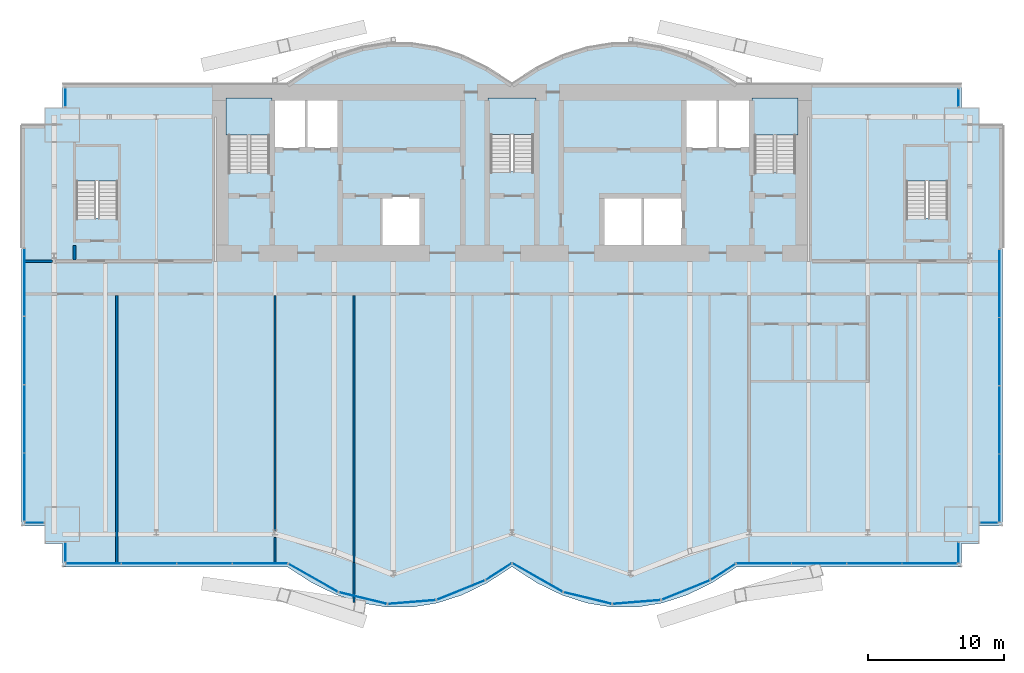
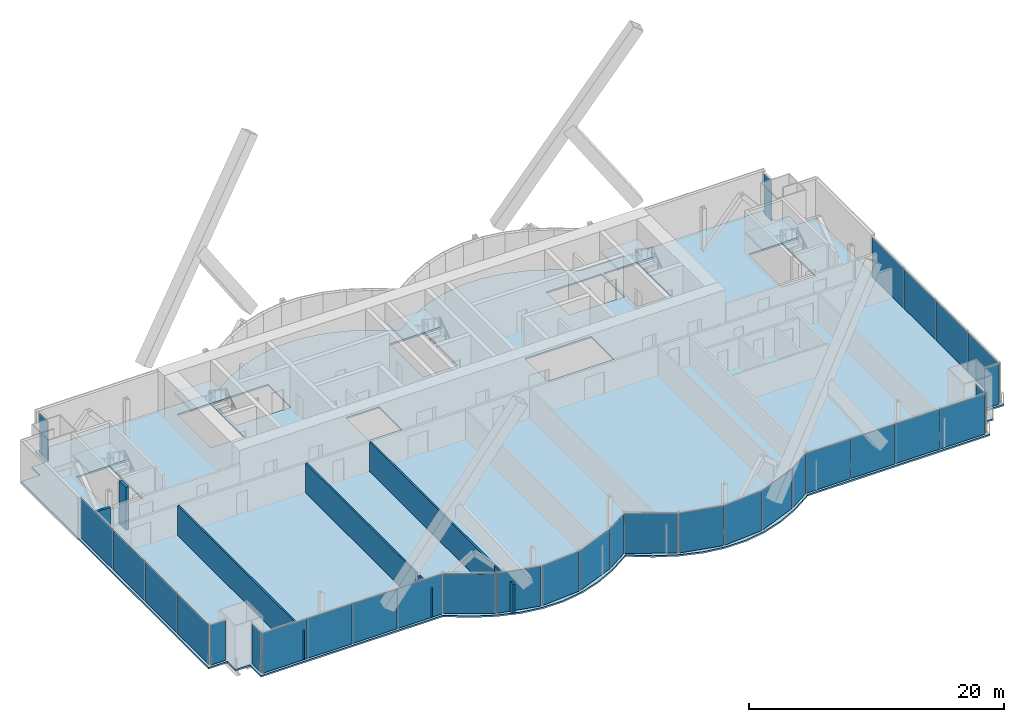
# One storey, part 16 of 23: 32 plates, 7 walls, 6 slabs, 17 elements without a shape of their own.
"""IFC4 building model written with IfcOpenShell, lengths in metres."""

from ifc_helpers import new_model, si_unit, direction, frame, frame_2d, origin, origin_2d, place, context, subcontext, project, spatial, polyline, rectangle, outline, extrude, material, layer, layer_set, type_object, element, aggregate, save


model = new_model("IFC4")

# Units and contexts
model_context = context("Model", 3, precision=1e-05, world=origin(), true_north=direction((0.0, 1.0)))
body_context = subcontext(model_context, "Body", "Model", "MODEL_VIEW")
ifc_project = project(units=[si_unit("LENGTHUNIT", "METRE"), si_unit("AREAUNIT", "SQUARE_METRE"), si_unit("VOLUMEUNIT", "CUBIC_METRE"), si_unit("PLANEANGLEUNIT", "RADIAN"), si_unit("MASSUNIT", "GRAM", prefix="KILO")], contexts=[model_context])

# Site, building, storey
site_placement = place(None, origin())
site = spatial("IfcSite", under=ifc_project, at=site_placement, CompositionType="ELEMENT")
building_placement = place(site_placement, origin())
building = spatial("IfcBuilding", under=site, at=building_placement, Name="Bicima Exchange Tower", CompositionType="ELEMENT")
storey_placement = place(building_placement, frame((0.0, 0.0, 152.699951171875)))
storey = spatial("IfcBuildingStorey", under=building, at=storey_placement, Name="L33", CompositionType="ELEMENT", Elevation=152.699951171875)

# Slab
ifc_material_1 = material(Name="Concrete C40/50", Category="concrete")
ifc_layer_1 = layer(ifc_material_1, 0.14990234375)
ifc_layer_set_1 = layer_set([ifc_layer_1], Name="Concrete C40/50")
slab_type_1 = type_object("IfcSlabType", Name="Composite floor slab 150", PredefinedType="FLOOR", material=ifc_layer_set_1)
slab_1_placement = place(storey_placement, frame((0.0, 0.0, -0.14990234375)))
element("IfcSlab", 1, at=slab_1_placement, inside=storey, type_object=slab_type_1, Name="Floor slab", PredefinedType="FLOOR", context=body_context, shape_type="SweptSolid", body=[
    extrude(outline(polyline([(-36.0, -32.412109375), (-36.0, -3.0), (-34.300048828125, -3.0), (-34.300048828125, -1.699951171875), (-33.0, -1.699951171875), (-33.0, 0.0), (-16.5, 0.0), (-14.666748046875, 1.185302734375), (-12.833251953125, 2.07421875), (-11.0, 2.666748046875), (-9.166748046875, 2.962890625), (-7.333251953125, 2.962890625), (-5.5, 2.666748046875), (-3.666748046875, 2.07421875), (-1.833251953125, 1.185302734375), (0.0, 0.0), (1.833251953125, 1.185302734375), (3.666748046875, 2.07421875), (5.5, 2.666748046875), (7.333251953125, 2.962890625), (9.166748046875, 2.962890625), (11.0, 2.666748046875), (12.833251953125, 2.07421875), (14.666748046875, 1.185302734375), (16.5, 0.0), (33.0, 0.0), (33.0, -1.699951171875), (34.300048828125, -1.699951171875), (34.300048828125, -3.0), (36.0, -3.0), (36.0, -32.412109375), (34.300048828125, -32.412109375), (34.300048828125, -33.7119140625), (33.0, -33.7119140625), (33.0, -35.412109375), (16.5, -35.412109375), (14.666748046875, -36.59716796875), (12.833251953125, -37.486083984375), (11.0, -38.07861328125), (9.166748046875, -38.375), (7.333251953125, -38.375), (5.5, -38.07861328125), (3.666748046875, -37.486083984375), (1.833251953125, -36.59716796875), (0.0, -35.412109375), (-1.833251953125, -36.59716796875), (-3.666748046875, -37.486083984375), (-5.5, -38.07861328125), (-7.333251953125, -38.375), (-9.166748046875, -38.375), (-11.0, -38.07861328125), (-12.833251953125, -37.486083984375), (-14.666748046875, -36.59716796875), (-16.5, -35.412109375), (-33.0, -35.412109375), (-33.0, -33.7119140625), (-34.300048828125, -33.7119140625), (-34.300048828125, -32.412109375), (-36.0, -32.412109375)]), holes=[polyline([(-6.60009765625, -11.800048828125), (-6.60009765625, -8.199951171875), (-9.60009765625, -8.199951171875), (-9.60009765625, -11.800048828125), (-6.60009765625, -11.800048828125)]), polyline([(-31.97509765625, -9.824951171875), (-28.925048828125, -9.824951171875), (-28.925048828125, -4.625), (-31.97509765625, -4.625), (-31.97509765625, -9.824951171875)]), polyline([(-20.800048828125, -6.449951171875), (-17.800048828125, -6.449951171875), (-17.800048828125, -1.199951171875), (-20.800048828125, -1.199951171875), (-20.800048828125, -6.449951171875)]), polyline([(1.574951171875, -6.39990234375), (1.574951171875, -1.199951171875), (-1.574951171875, -1.199951171875), (-1.574951171875, -6.39990234375), (1.574951171875, -6.39990234375)]), polyline([(-12.60009765625, -4.800048828125), (-12.60009765625, -1.199951171875), (-15.10009765625, -1.199951171875), (-17.60009765625, -1.199951171875), (-17.60009765625, -4.800048828125), (-15.10009765625, -4.800048828125), (-12.60009765625, -4.800048828125)]), polyline([(12.60009765625, -8.199951171875), (9.60009765625, -8.199951171875), (6.60009765625, -8.199951171875), (6.60009765625, -11.800048828125), (9.60009765625, -11.800048828125), (12.60009765625, -11.800048828125), (12.60009765625, -8.199951171875)]), polyline([(28.925048828125, -9.824951171875), (31.97509765625, -9.824951171875), (31.97509765625, -4.625), (28.925048828125, -4.625), (28.925048828125, -9.824951171875)]), polyline([(20.800048828125, -6.449951171875), (20.800048828125, -1.199951171875), (17.800048828125, -1.199951171875), (17.800048828125, -6.449951171875), (20.800048828125, -6.449951171875)]), polyline([(17.60009765625, -4.800048828125), (17.60009765625, -1.199951171875), (15.10009765625, -1.199951171875), (12.60009765625, -1.199951171875), (12.60009765625, -4.800048828125), (15.10009765625, -4.800048828125), (17.60009765625, -4.800048828125)])]), origin(), (0.0, 0.0, 1.0), 0.14990234375),
])

# Curtain wall, plates
ifc_material_2 = material(Name="Anodised bronze aluminium", Category="aluminium")
curtain_wall_type_1 = type_object("IfcCurtainWallType", Name="End face glass wall", PredefinedType="NOTDEFINED", material=ifc_material_2)
curtain_wall_1_placement = place(storey_placement, origin())
curtain_wall_1 = element("IfcCurtainWall", 2, at=curtain_wall_1_placement, inside=storey, type_object=curtain_wall_type_1, Name="End face glass wall L33 run 2", PredefinedType="NOTDEFINED")
ifc_material_3 = material(Name="Bronze tinted glass", Category="glass")
ifc_layer_2 = layer(ifc_material_3, 0.031982421875)
ifc_layer_set_2 = layer_set([ifc_layer_2], Name="Bronze tinted glass")
plate_type_1 = type_object("IfcPlateType", Name="End face glass wall glass panel 32", PredefinedType="CURTAIN_PANEL", material=ifc_layer_set_2)
plate_1_placement = place(storey_placement, frame((-35.77001953125, -19.5458984375, 0.0), z_axis=(0.0, 0.0, 1.0), x_axis=(0.0, -1.0, 0.0)))
plate_1 = element("IfcPlate", 3, at=plate_1_placement, type_object=plate_type_1, Name="End face glass wall panel 2.1", PredefinedType="CURTAIN_PANEL", context=body_context, shape_type="SweptSolid", body=[
    extrude(rectangle(XDim=4.950439453125, YDim=0.031982421875, at=origin_2d()), origin(), (0.0, 0.0, 1.0), 3.81005859375),
])
plate_2_placement = place(storey_placement, frame((-35.77001953125, -29.566650390625, 0.0), z_axis=(0.0, 0.0, 1.0), x_axis=(0.0, -1.0, 0.0)))
plate_2 = element("IfcPlate", 4, at=plate_2_placement, type_object=plate_type_1, Name="End face glass wall panel 4.1", PredefinedType="CURTAIN_PANEL", context=body_context, shape_type="SweptSolid", body=[
    extrude(rectangle(XDim=4.950439453125, YDim=0.031982421875, at=origin_2d()), origin(), (0.0, 0.0, 1.0), 3.81005859375),
])

curtain_wall_2_placement = place(storey_placement, origin())
curtain_wall_2 = element("IfcCurtainWall", 5, at=curtain_wall_2_placement, inside=storey, type_object=curtain_wall_type_1, Name="End face glass wall L33 run 19", PredefinedType="NOTDEFINED")
plate_3_placement = place(storey_placement, frame((35.77001953125, -29.646728515625, 0.0), z_axis=(0.0, 0.0, 1.0), x_axis=(0.0, 1.0, 0.0)))
plate_3 = element("IfcPlate", 6, at=plate_3_placement, type_object=plate_type_1, Name="End face glass wall panel 1.1", PredefinedType="CURTAIN_PANEL", context=body_context, shape_type="SweptSolid", body=[
    extrude(rectangle(XDim=4.950439453125, YDim=0.031982421875, at=origin_2d()), origin(), (0.0, 0.0, 1.0), 3.81005859375),
])
plate_4_placement = place(storey_placement, frame((35.77001953125, -19.625732421875, 0.0), z_axis=(0.0, 0.0, 1.0), x_axis=(0.0, 1.0, 0.0)))
plate_4 = element("IfcPlate", 7, at=plate_4_placement, type_object=plate_type_1, Name="End face glass wall panel 3.1", PredefinedType="CURTAIN_PANEL", context=body_context, shape_type="SweptSolid", body=[
    extrude(rectangle(XDim=4.950439453125, YDim=0.031982421875, at=origin_2d()), origin(), (0.0, 0.0, 1.0), 3.81005859375),
])

# Plate
ifc_material_4 = material(Name="Bronze anodised aluminium", Category="aluminium")
ifc_layer_3 = layer(ifc_material_4, 0.031982421875)
ifc_layer_set_3 = layer_set([ifc_layer_3], Name="Bronze anodised aluminium")
plate_type_2 = type_object("IfcPlateType", Name="End face glass wall spandrel panel 32", PredefinedType="CURTAIN_PANEL", material=ifc_layer_set_3)
plate_5_placement = place(storey_placement, frame((-35.77001953125, -14.53515625, 0.0), z_axis=(0.0, 0.0, 1.0), x_axis=(0.0, -1.0, 0.0)))
plate_5 = element("IfcPlate", 8, at=plate_5_placement, type_object=plate_type_2, Name="End face spandrel wall panel 1.1", PredefinedType="CURTAIN_PANEL", context=body_context, shape_type="SweptSolid", body=[
    extrude(rectangle(XDim=4.950439453125, YDim=0.031982421875, at=origin_2d()), origin(), (0.0, 0.0, 1.0), 3.81005859375),
])

plate_6_placement = place(storey_placement, frame((-35.77001953125, -24.55615234375, 0.0), z_axis=(0.0, 0.0, 1.0), x_axis=(0.0, -1.0, 0.0)))
plate_6 = element("IfcPlate", 9, at=plate_6_placement, type_object=plate_type_2, Name="End face spandrel wall panel 3.1", PredefinedType="CURTAIN_PANEL", context=body_context, shape_type="SweptSolid", body=[
    extrude(rectangle(XDim=4.950439453125, YDim=0.031982421875, at=origin_2d()), origin(), (0.0, 0.0, 1.0), 3.81005859375),
])

aggregate(curtain_wall_1, [plate_5, plate_1, plate_6, plate_2])

plate_7_placement = place(storey_placement, frame((35.77001953125, -24.63623046875, 0.0), z_axis=(0.0, 0.0, 1.0), x_axis=(0.0, 1.0, 0.0)))
plate_7 = element("IfcPlate", 10, at=plate_7_placement, type_object=plate_type_2, Name="End face spandrel wall panel 2.1", PredefinedType="CURTAIN_PANEL", context=body_context, shape_type="SweptSolid", body=[
    extrude(rectangle(XDim=4.950439453125, YDim=0.031982421875, at=origin_2d()), origin(), (0.0, 0.0, 1.0), 3.81005859375),
])

plate_8_placement = place(storey_placement, frame((35.77001953125, -14.615234375, 0.0), z_axis=(0.0, 0.0, 1.0), x_axis=(0.0, 1.0, 0.0)))
plate_8 = element("IfcPlate", 11, at=plate_8_placement, type_object=plate_type_2, Name="End face spandrel wall panel 4.1", PredefinedType="CURTAIN_PANEL", context=body_context, shape_type="SweptSolid", body=[
    extrude(rectangle(XDim=4.950439453125, YDim=0.031982421875, at=origin_2d()), origin(), (0.0, 0.0, 1.0), 3.81005859375),
])

aggregate(curtain_wall_2, [plate_3, plate_7, plate_4, plate_8])

# Curtain wall, plate
curtain_wall_type_2 = type_object("IfcCurtainWallType", Name="Front glass wall", PredefinedType="NOTDEFINED", material=ifc_material_2)
curtain_wall_3_placement = place(storey_placement, origin())
curtain_wall_3 = element("IfcCurtainWall", 12, at=curtain_wall_3_placement, inside=storey, type_object=curtain_wall_type_2, Name="Front glass wall L33 run 1", PredefinedType="NOTDEFINED")
ifc_layer_4 = layer(ifc_material_3, 0.031982421875)
ifc_layer_set_4 = layer_set([ifc_layer_4], Name="Bronze tinted glass")
plate_type_3 = type_object("IfcPlateType", Name="Front glass wall glass panel 32", PredefinedType="CURTAIN_PANEL", material=ifc_layer_set_4)
plate_9_placement = place(storey_placement, frame((-32.77001953125, -0.965087890625, 0.0), z_axis=(0.0, 0.0, 1.0), x_axis=(0.0, -1.0, 0.0)))
plate_9 = element("IfcPlate", 13, at=plate_9_placement, type_object=plate_type_3, Name="Front glass wall panel 1.1", PredefinedType="CURTAIN_PANEL", context=body_context, shape_type="SweptSolid", body=[
    extrude(rectangle(XDim=1.35009765625, YDim=0.031982421875, at=origin_2d()), origin(), (0.0, 0.0, 1.0), 3.81005859375),
])
aggregate(curtain_wall_3, [plate_9])

curtain_wall_4_placement = place(storey_placement, origin())
curtain_wall_4 = element("IfcCurtainWall", 14, at=curtain_wall_4_placement, inside=storey, type_object=curtain_wall_type_2, Name="Front glass wall L33 run 3", PredefinedType="NOTDEFINED")
plate_10_placement = place(storey_placement, frame((-35.034912109375, -32.181884765625, 0.0), z_axis=(0.0, 0.0, 1.0), x_axis=(1.0, 0.0, 0.0)))
plate_10 = element("IfcPlate", 15, at=plate_10_placement, type_object=plate_type_3, Name="Front glass wall panel 1.1", PredefinedType="CURTAIN_PANEL", context=body_context, shape_type="SweptSolid", body=[
    extrude(rectangle(XDim=1.35009765625, YDim=0.031982421875, at=origin_2d()), origin(), (0.0, 0.0, 1.0), 3.81005859375),
])
aggregate(curtain_wall_4, [plate_10])

curtain_wall_5_placement = place(storey_placement, origin())
curtain_wall_5 = element("IfcCurtainWall", 16, at=curtain_wall_5_placement, inside=storey, type_object=curtain_wall_type_2, Name="Front glass wall L33 run 4", PredefinedType="NOTDEFINED")
plate_11_placement = place(storey_placement, frame((-32.77001953125, -34.345947265625, 0.0), z_axis=(0.0, 0.0, 1.0), x_axis=(0.0, -1.0, 0.0)))
plate_11 = element("IfcPlate", 17, at=plate_11_placement, type_object=plate_type_3, Name="Front glass wall panel 1.1", PredefinedType="CURTAIN_PANEL", context=body_context, shape_type="SweptSolid", body=[
    extrude(rectangle(XDim=1.39208984375, YDim=0.031982421875, at=origin_2d()), origin(), (0.0, 0.0, 1.0), 3.81005859375),
])
aggregate(curtain_wall_5, [plate_11])

# Curtain wall, plates
curtain_wall_6_placement = place(storey_placement, origin())
curtain_wall_6 = element("IfcCurtainWall", 18, at=curtain_wall_6_placement, inside=storey, type_object=curtain_wall_type_2, Name="Front glass wall L33 run 5", PredefinedType="NOTDEFINED")
plate_12_placement = place(storey_placement, frame((-30.705322265625, -35.181884765625, 0.0), z_axis=(0.0, 0.0, 1.0), x_axis=(1.0, 0.0, 0.0)))
plate_12 = element("IfcPlate", 19, at=plate_12_placement, type_object=plate_type_3, Name="Front glass wall panel 1.1", PredefinedType="CURTAIN_PANEL", context=body_context, shape_type="SweptSolid", body=[
    extrude(rectangle(XDim=4.009521484375, YDim=0.031982421875, at=origin_2d()), origin(), (0.0, 0.0, 1.0), 3.81005859375),
])
plate_13_placement = place(storey_placement, frame((-18.496826171875, -35.181884765625, 0.0), z_axis=(0.0, 0.0, 1.0), x_axis=(1.0, 0.0, 0.0)))
plate_13 = element("IfcPlate", 20, at=plate_13_placement, type_object=plate_type_3, Name="Front glass wall panel 4.1", PredefinedType="CURTAIN_PANEL", context=body_context, shape_type="SweptSolid", body=[
    extrude(rectangle(XDim=4.009521484375, YDim=0.031982421875, at=origin_2d()), origin(), (0.0, 0.0, 1.0), 3.81005859375),
])

curtain_wall_7_placement = place(storey_placement, origin())
curtain_wall_7 = element("IfcCurtainWall", 21, at=curtain_wall_7_placement, inside=storey, type_object=curtain_wall_type_2, Name="Front glass wall L33 run 6", PredefinedType="NOTDEFINED")
plate_14_placement = place(storey_placement, frame((-14.589599609375, -36.22705078125, 0.0), z_axis=(0.0, 0.0, 1.0), x_axis=(0.869805110681, -0.493395449343, 0.0)))
plate_14 = element("IfcPlate", 22, at=plate_14_placement, type_object=plate_type_3, Name="Front glass wall panel 1.1", PredefinedType="CURTAIN_PANEL", context=body_context, shape_type="SweptSolid", body=[
    extrude(rectangle(XDim=4.1162109375, YDim=0.031982421875, at=origin_2d()), origin(), (0.0, 0.0, 1.0), 3.81005859375),
])
plate_15_placement = place(storey_placement, frame((-3.750244140625, -37.12548828125, 0.0), z_axis=(0.0, 0.0, 1.0), x_axis=(0.92714396679, 0.374705304, 0.0)))
plate_15 = element("IfcPlate", 23, at=plate_15_placement, type_object=plate_type_3, Name="Front glass wall panel 1.1", PredefinedType="CURTAIN_PANEL", context=body_context, shape_type="SweptSolid", body=[
    extrude(rectangle(XDim=3.771240234375, YDim=0.031982421875, at=origin_2d()), origin(), (0.0, 0.0, 1.0), 3.81005859375),
])
plate_16_placement = place(storey_placement, frame((-0.97314453125, -35.76708984375, 0.0), z_axis=(0.0, 0.0, 1.0), x_axis=(0.839798994301, 0.542897457326, 0.0)))
plate_16 = element("IfcPlate", 24, at=plate_16_placement, type_object=plate_type_3, Name="Front glass wall panel 1.1", PredefinedType="CURTAIN_PANEL", context=body_context, shape_type="SweptSolid", body=[
    extrude(rectangle(XDim=2.197509765625, YDim=0.031982421875, at=origin_2d()), origin(), (0.0, 0.0, 1.0), 3.81005859375),
])

curtain_wall_8_placement = place(storey_placement, origin())
curtain_wall_8 = element("IfcCurtainWall", 25, at=curtain_wall_8_placement, inside=storey, type_object=curtain_wall_type_2, Name="Front glass wall L33 run 11", PredefinedType="NOTDEFINED")
plate_17_placement = place(storey_placement, frame((1.876220703125, -36.205078125, 0.0), z_axis=(0.0, 0.0, 1.0), x_axis=(0.869274147378, -0.494330311331, 0.0)))
plate_17 = element("IfcPlate", 26, at=plate_17_placement, type_object=plate_type_3, Name="Front glass wall panel 1.1", PredefinedType="CURTAIN_PANEL", context=body_context, shape_type="SweptSolid", body=[
    extrude(rectangle(XDim=4.197021484375, YDim=0.031982421875, at=origin_2d()), origin(), (0.0, 0.0, 1.0), 3.81005859375),
])
plate_18_placement = place(storey_placement, frame((5.55224609375, -37.70849609375, 0.0), z_axis=(0.0, 0.0, 1.0), x_axis=(0.971830343553, -0.235681529503, 0.0)))
plate_18 = element("IfcPlate", 27, at=plate_18_placement, type_object=plate_type_3, Name="Front glass wall panel 1.1", PredefinedType="CURTAIN_PANEL", context=body_context, shape_type="SweptSolid", body=[
    extrude(rectangle(XDim=3.583251953125, YDim=0.031982421875, at=origin_2d()), origin(), (0.0, 0.0, 1.0), 3.81005859375),
])
plate_19_placement = place(storey_placement, frame((12.749755859375, -37.12548828125, 0.0), z_axis=(0.0, 0.0, 1.0), x_axis=(0.92714396679, 0.374705304, 0.0)))
plate_19 = element("IfcPlate", 28, at=plate_19_placement, type_object=plate_type_3, Name="Front glass wall panel 1.1", PredefinedType="CURTAIN_PANEL", context=body_context, shape_type="SweptSolid", body=[
    extrude(rectangle(XDim=3.771240234375, YDim=0.031982421875, at=origin_2d()), origin(), (0.0, 0.0, 1.0), 3.81005859375),
])
plate_20_placement = place(storey_placement, frame((15.492919921875, -35.789306640625, 0.0), z_axis=(0.0, 0.0, 1.0), x_axis=(0.839791413941, 0.542909183079, 0.0)))
plate_20 = element("IfcPlate", 29, at=plate_20_placement, type_object=plate_type_3, Name="Front glass wall panel 1.1", PredefinedType="CURTAIN_PANEL", context=body_context, shape_type="SweptSolid", body=[
    extrude(rectangle(XDim=2.11669921875, YDim=0.031982421875, at=origin_2d()), origin(), (0.0, 0.0, 1.0), 3.81005859375),
])

curtain_wall_9_placement = place(storey_placement, origin())
curtain_wall_9 = element("IfcCurtainWall", 30, at=curtain_wall_9_placement, inside=storey, type_object=curtain_wall_type_2, Name="Front glass wall L33 run 16", PredefinedType="NOTDEFINED")
plate_21_placement = place(storey_placement, frame((18.48681640625, -35.181884765625, 0.0), z_axis=(0.0, 0.0, 1.0), x_axis=(1.0, 0.0, 0.0)))
plate_21 = element("IfcPlate", 31, at=plate_21_placement, type_object=plate_type_3, Name="Front glass wall panel 1.1", PredefinedType="CURTAIN_PANEL", context=body_context, shape_type="SweptSolid", body=[
    extrude(rectangle(XDim=3.989501953125, YDim=0.031982421875, at=origin_2d()), origin(), (0.0, 0.0, 1.0), 3.81005859375),
])
plate_22_placement = place(storey_placement, frame((30.63525390625, -35.181884765625, 0.0), z_axis=(0.0, 0.0, 1.0), x_axis=(1.0, 0.0, 0.0)))
plate_22 = element("IfcPlate", 32, at=plate_22_placement, type_object=plate_type_3, Name="Front glass wall panel 4.1", PredefinedType="CURTAIN_PANEL", context=body_context, shape_type="SweptSolid", body=[
    extrude(rectangle(XDim=3.989501953125, YDim=0.031982421875, at=origin_2d()), origin(), (0.0, 0.0, 1.0), 3.81005859375),
])

# Curtain wall, plate
curtain_wall_10_placement = place(storey_placement, origin())
curtain_wall_10 = element("IfcCurtainWall", 33, at=curtain_wall_10_placement, inside=storey, type_object=curtain_wall_type_2, Name="Front glass wall L33 run 17", PredefinedType="NOTDEFINED")
plate_23_placement = place(storey_placement, frame((32.77001953125, -34.385986328125, 0.0), z_axis=(0.0, 0.0, 1.0), x_axis=(0.0, 1.0, 0.0)))
plate_23 = element("IfcPlate", 34, at=plate_23_placement, type_object=plate_type_3, Name="Front glass wall panel 1.1", PredefinedType="CURTAIN_PANEL", context=body_context, shape_type="SweptSolid", body=[
    extrude(rectangle(XDim=1.471923828125, YDim=0.031982421875, at=origin_2d()), origin(), (0.0, 0.0, 1.0), 3.81005859375),
])
aggregate(curtain_wall_10, [plate_23])

curtain_wall_11_placement = place(storey_placement, origin())
curtain_wall_11 = element("IfcCurtainWall", 35, at=curtain_wall_11_placement, inside=storey, type_object=curtain_wall_type_2, Name="Front glass wall L33 run 18", PredefinedType="NOTDEFINED")
plate_24_placement = place(storey_placement, frame((34.9951171875, -32.181884765625, 0.0), z_axis=(0.0, 0.0, 1.0), x_axis=(1.0, 0.0, 0.0)))
plate_24 = element("IfcPlate", 36, at=plate_24_placement, type_object=plate_type_3, Name="Front glass wall panel 1.1", PredefinedType="CURTAIN_PANEL", context=body_context, shape_type="SweptSolid", body=[
    extrude(rectangle(XDim=1.27001953125, YDim=0.031982421875, at=origin_2d()), origin(), (0.0, 0.0, 1.0), 3.81005859375),
])
aggregate(curtain_wall_11, [plate_24])

curtain_wall_12_placement = place(storey_placement, origin())
curtain_wall_12 = element("IfcCurtainWall", 37, at=curtain_wall_12_placement, inside=storey, type_object=curtain_wall_type_2, Name="Front glass wall L33 run 20", PredefinedType="NOTDEFINED")
plate_25_placement = place(storey_placement, frame((32.77001953125, -1.0048828125, 0.0), z_axis=(0.0, 0.0, 1.0), x_axis=(0.0, 1.0, 0.0)))
plate_25 = element("IfcPlate", 38, at=plate_25_placement, type_object=plate_type_3, Name="Front glass wall panel 1.1", PredefinedType="CURTAIN_PANEL", context=body_context, shape_type="SweptSolid", body=[
    extrude(rectangle(XDim=1.27001953125, YDim=0.031982421875, at=origin_2d()), origin(), (0.0, 0.0, 1.0), 3.81005859375),
])
aggregate(curtain_wall_12, [plate_25])

# Plate
ifc_layer_5 = layer(ifc_material_4, 0.031982421875)
ifc_layer_set_5 = layer_set([ifc_layer_5], Name="Bronze anodised aluminium")
plate_type_4 = type_object("IfcPlateType", Name="Front glass wall spandrel panel 32", PredefinedType="CURTAIN_PANEL", material=ifc_layer_set_5)
plate_26_placement = place(storey_placement, frame((-26.6357421875, -35.181884765625, 0.0), z_axis=(0.0, 0.0, 1.0), x_axis=(1.0, 0.0, 0.0)))
plate_26 = element("IfcPlate", 39, at=plate_26_placement, type_object=plate_type_4, Name="Front spandrel wall panel 2.1", PredefinedType="CURTAIN_PANEL", context=body_context, shape_type="SweptSolid", body=[
    extrude(rectangle(XDim=4.009521484375, YDim=0.031982421875, at=origin_2d()), origin(), (0.0, 0.0, 1.0), 3.81005859375),
])

plate_27_placement = place(storey_placement, frame((-22.56640625, -35.181884765625, 0.0), z_axis=(0.0, 0.0, 1.0), x_axis=(1.0, 0.0, 0.0)))
plate_27 = element("IfcPlate", 40, at=plate_27_placement, type_object=plate_type_4, Name="Front spandrel wall panel 3.1", PredefinedType="CURTAIN_PANEL", context=body_context, shape_type="SweptSolid", body=[
    extrude(rectangle(XDim=4.009521484375, YDim=0.031982421875, at=origin_2d()), origin(), (0.0, 0.0, 1.0), 3.81005859375),
])

aggregate(curtain_wall_6, [plate_12, plate_26, plate_27, plate_13])

plate_28_placement = place(storey_placement, frame((-10.94775390625, -37.70849609375, 0.0), z_axis=(0.0, 0.0, 1.0), x_axis=(0.971830343553, -0.235681529503, 0.0)))
plate_28 = element("IfcPlate", 41, at=plate_28_placement, type_object=plate_type_4, Name="Front spandrel wall panel 1.1", PredefinedType="CURTAIN_PANEL", context=body_context, shape_type="SweptSolid", body=[
    extrude(rectangle(XDim=3.583251953125, YDim=0.031982421875, at=origin_2d()), origin(), (0.0, 0.0, 1.0), 3.81005859375),
])

plate_29_placement = place(storey_placement, frame((-7.35107421875, -37.999755859375, 0.0), z_axis=(0.0, 0.0, 1.0), x_axis=(0.99674744821, 0.080588612633, 0.0)))
plate_29 = element("IfcPlate", 42, at=plate_29_placement, type_object=plate_type_4, Name="Front spandrel wall panel 1.1", PredefinedType="CURTAIN_PANEL", context=body_context, shape_type="SweptSolid", body=[
    extrude(rectangle(XDim=3.486083984375, YDim=0.031982421875, at=origin_2d()), origin(), (0.0, 0.0, 1.0), 3.81005859375),
])

aggregate(curtain_wall_7, [plate_14, plate_28, plate_29, plate_15, plate_16])

plate_30_placement = place(storey_placement, frame((9.14892578125, -37.999755859375, 0.0), z_axis=(0.0, 0.0, 1.0), x_axis=(0.99674744821, 0.080588612633, 0.0)))
plate_30 = element("IfcPlate", 43, at=plate_30_placement, type_object=plate_type_4, Name="Front spandrel wall panel 1.1", PredefinedType="CURTAIN_PANEL", context=body_context, shape_type="SweptSolid", body=[
    extrude(rectangle(XDim=3.486083984375, YDim=0.031982421875, at=origin_2d()), origin(), (0.0, 0.0, 1.0), 3.81005859375),
])

aggregate(curtain_wall_8, [plate_17, plate_18, plate_30, plate_19, plate_20])

plate_31_placement = place(storey_placement, frame((22.536376953125, -35.181884765625, 0.0), z_axis=(0.0, 0.0, 1.0), x_axis=(1.0, 0.0, 0.0)))
plate_31 = element("IfcPlate", 44, at=plate_31_placement, type_object=plate_type_4, Name="Front spandrel wall panel 2.1", PredefinedType="CURTAIN_PANEL", context=body_context, shape_type="SweptSolid", body=[
    extrude(rectangle(XDim=3.989501953125, YDim=0.031982421875, at=origin_2d()), origin(), (0.0, 0.0, 1.0), 3.81005859375),
])

plate_32_placement = place(storey_placement, frame((26.585693359375, -35.181884765625, 0.0), z_axis=(0.0, 0.0, 1.0), x_axis=(1.0, 0.0, 0.0)))
plate_32 = element("IfcPlate", 45, at=plate_32_placement, type_object=plate_type_4, Name="Front spandrel wall panel 3.1", PredefinedType="CURTAIN_PANEL", context=body_context, shape_type="SweptSolid", body=[
    extrude(rectangle(XDim=3.989501953125, YDim=0.031982421875, at=origin_2d()), origin(), (0.0, 0.0, 1.0), 3.81005859375),
])

aggregate(curtain_wall_9, [plate_21, plate_31, plate_32, plate_22])

# Stair, slab
ifc_material_5 = material(Name="Concrete C50/60", Category="concrete")
stair_type_1 = type_object("IfcStairType", Name="Exit stair", PredefinedType="HALF_TURN_STAIR", material=ifc_material_5)
stair_1_placement = place(storey_placement, origin())
stair_1 = element("IfcStair", 46, at=stair_1_placement, inside=storey, type_object=stair_type_1, Name="L33 West exit stair", PredefinedType="HALF_TURN_STAIR")
ifc_layer_6 = layer(ifc_material_5, 0.199951171875)
ifc_layer_set_6 = layer_set([ifc_layer_6], Name="Concrete C50/60")
slab_type_2 = type_object("IfcSlabType", Name="Stair landing slab", PredefinedType="LANDING", material=ifc_layer_set_6)
slab_2_placement = place(storey_placement, frame((0.0, 0.0, 1.85009765625)))
slab_2 = element("IfcSlab", 47, at=slab_2_placement, type_object=slab_type_2, Name="ST-W landing 1", PredefinedType="LANDING", context=body_context, shape_type="SweptSolid", body=[
    extrude(outline(polyline([(-17.60009765625, -3.75), (-17.60009765625, -1.0), (-21.0, -1.0), (-21.0, -3.75), (-17.60009765625, -3.75)])), origin(), (0.0, 0.0, 1.0), 0.199951171875),
])
aggregate(stair_1, [slab_2])

stair_type_2 = type_object("IfcStairType", Name="Exit stair 1500", PredefinedType="HALF_TURN_STAIR", material=ifc_material_5)
stair_2_placement = place(storey_placement, origin())
stair_2 = element("IfcStair", 48, at=stair_2_placement, inside=storey, type_object=stair_type_2, Name="L33 Central exit stair", PredefinedType="HALF_TURN_STAIR")
slab_3_placement = place(storey_placement, frame((0.0, 0.0, 1.85009765625)))
slab_3 = element("IfcSlab", 49, at=slab_3_placement, type_object=slab_type_2, Name="ST-C landing 1", PredefinedType="LANDING", context=body_context, shape_type="SweptSolid", body=[
    extrude(outline(polyline([(1.77490234375, -3.699951171875), (1.77490234375, -1.0), (-1.77490234375, -1.0), (-1.77490234375, -3.699951171875), (1.77490234375, -3.699951171875)])), origin(), (0.0, 0.0, 1.0), 0.199951171875),
])
aggregate(stair_2, [slab_3])

stair_3_placement = place(storey_placement, origin())
stair_3 = element("IfcStair", 50, at=stair_3_placement, inside=storey, type_object=stair_type_1, Name="L33 East exit stair", PredefinedType="HALF_TURN_STAIR")
slab_4_placement = place(storey_placement, frame((0.0, 0.0, 1.85009765625)))
slab_4 = element("IfcSlab", 51, at=slab_4_placement, type_object=slab_type_2, Name="ST-E landing 1", PredefinedType="LANDING", context=body_context, shape_type="SweptSolid", body=[
    extrude(outline(polyline([(21.0, -3.75), (21.0, -1.0), (17.60009765625, -1.0), (17.60009765625, -3.75), (21.0, -3.75)])), origin(), (0.0, 0.0, 1.0), 0.199951171875),
])
aggregate(stair_3, [slab_4])

stair_4_placement = place(storey_placement, origin())
stair_4 = element("IfcStair", 52, at=stair_4_placement, inside=storey, type_object=stair_type_1, Name="L33 West end exit stair", PredefinedType="HALF_TURN_STAIR")
slab_5_placement = place(storey_placement, frame((0.0, 0.0, 1.85009765625)))
slab_5 = element("IfcSlab", 53, at=slab_5_placement, type_object=slab_type_2, Name="ST-WW landing 1", PredefinedType="LANDING", context=body_context, shape_type="SweptSolid", body=[
    extrude(outline(polyline([(-28.72509765625, -7.125), (-28.72509765625, -4.425048828125), (-32.175048828125, -4.425048828125), (-32.175048828125, -7.125), (-28.72509765625, -7.125)])), origin(), (0.0, 0.0, 1.0), 0.199951171875),
])
aggregate(stair_4, [slab_5])

stair_5_placement = place(storey_placement, origin())
stair_5 = element("IfcStair", 54, at=stair_5_placement, inside=storey, type_object=stair_type_1, Name="L33 East end exit stair", PredefinedType="HALF_TURN_STAIR")
slab_6_placement = place(storey_placement, frame((0.0, 0.0, 1.85009765625)))
slab_6 = element("IfcSlab", 55, at=slab_6_placement, type_object=slab_type_2, Name="ST-EE landing 1", PredefinedType="LANDING", context=body_context, shape_type="SweptSolid", body=[
    extrude(outline(polyline([(32.175048828125, -7.125), (32.175048828125, -4.425048828125), (28.72509765625, -4.425048828125), (28.72509765625, -7.125), (32.175048828125, -7.125)])), origin(), (0.0, 0.0, 1.0), 0.199951171875),
])
aggregate(stair_5, [slab_6])

# Walls
ifc_material_6 = material(Name="Gypsum board partition")
ifc_layer_7 = layer(ifc_material_6, 0.199951171875)
ifc_layer_set_7 = layer_set([ifc_layer_7], Name="Gypsum board partition")
wall_type_1 = type_object("IfcWallType", Name="Fire-rated gypsum partition 200 EI60", PredefinedType="PARTITIONING", material=ifc_layer_set_7)
wall_1_placement = place(storey_placement, frame((-35.679931640625, -13.0, 0.0), z_axis=(0.0, 0.0, 1.0), x_axis=(1.0, 0.0, 0.0)))
element("IfcWall", 56, at=wall_1_placement, inside=storey, type_object=wall_type_1, Name="partition wall 4", PredefinedType="PARTITIONING", context=body_context, shape_type="SweptSolid", body=[
    extrude(rectangle(XDim=1.9599609375, YDim=0.199951171875, at=frame_2d((0.97998046875, 0.0))), origin(), (0.0, 0.0, 1.0), 2.84033203125),
])
ifc_layer_8 = layer(ifc_material_6, 0.14990234375)
ifc_layer_set_8 = layer_set([ifc_layer_8], Name="Gypsum board partition")
wall_type_2 = type_object("IfcWallType", Name="Gypsum partition 150", PredefinedType="PARTITIONING", material=ifc_layer_set_8)
wall_2_placement = place(storey_placement, frame((-29.0, -35.199951171875, 0.0), z_axis=(0.0, 0.0, 1.0), x_axis=(0.0, 1.0, 0.0)))
element("IfcWall", 57, at=wall_2_placement, inside=storey, type_object=wall_type_2, Name="partition wall 13", PredefinedType="PARTITIONING", context=body_context, shape_type="SweptSolid", body=[
    extrude(rectangle(XDim=19.699951171875, YDim=0.14990234375, at=frame_2d((9.85009765625, 0.0))), origin(), (0.0, 0.0, 1.0), 2.84033203125),
])
wall_3_placement = place(storey_placement, frame((-17.39990234375, -35.199951171875, 0.0), z_axis=(0.0, 0.0, 1.0), x_axis=(0.0, 1.0, 0.0)))
element("IfcWall", 58, at=wall_3_placement, inside=storey, type_object=wall_type_2, Name="partition wall 15", PredefinedType="PARTITIONING", context=body_context, shape_type="SweptSolid", body=[
    extrude(rectangle(XDim=1.95068359375, YDim=0.14990234375, at=frame_2d((0.975341796875, 0.0))), origin(), (0.0, 0.0, 1.0), 2.84033203125),
])
wall_4_placement = place(storey_placement, frame((-17.39990234375, -32.774658203125, 0.0), z_axis=(0.0, 0.0, 1.0), x_axis=(0.0, 1.0, 0.0)))
element("IfcWall", 59, at=wall_4_placement, inside=storey, type_object=wall_type_2, Name="partition wall 16", PredefinedType="PARTITIONING", context=body_context, shape_type="SweptSolid", body=[
    extrude(rectangle(XDim=17.274658203125, YDim=0.14990234375, at=frame_2d((8.63720703125, 0.0))), origin(), (0.0, 0.0, 1.0), 2.84033203125),
])
wall_5_placement = place(storey_placement, frame((-11.60009765625, -38.024169921875, 0.0), z_axis=(0.0, 0.0, 1.0), x_axis=(0.0, 1.0, 0.0)))
element("IfcWall", 60, at=wall_5_placement, inside=storey, type_object=wall_type_2, Name="partition wall 17", PredefinedType="PARTITIONING", context=body_context, shape_type="SweptSolid", body=[
    extrude(rectangle(XDim=2.93701171875, YDim=0.14990234375, at=frame_2d((1.468505859375, 0.0))), origin(), (0.0, 0.0, 1.0), 2.84033203125),
])
wall_6_placement = place(storey_placement, frame((-11.60009765625, -35.087158203125, 0.0), z_axis=(0.0, 0.0, 1.0), x_axis=(0.0, 1.0, 0.0)))
element("IfcWall", 61, at=wall_6_placement, inside=storey, type_object=wall_type_2, Name="partition wall 18", PredefinedType="PARTITIONING", context=body_context, shape_type="SweptSolid", body=[
    extrude(rectangle(XDim=19.587158203125, YDim=0.14990234375, at=frame_2d((9.79345703125, 0.0))), origin(), (0.0, 0.0, 1.0), 2.84033203125),
])
ifc_layer_9 = layer(ifc_material_5, 0.25)
ifc_layer_set_9 = layer_set([ifc_layer_9], Name="Concrete C50/60")
wall_type_3 = type_object("IfcWallType", Name="RC core wall 250 C50/60", PredefinedType="SHEAR", material=ifc_layer_set_9)
wall_7_placement = place(storey_placement, frame((-32.10009765625, -12.89990234375, 0.0), z_axis=(0.0, 0.0, 1.0), x_axis=(0.0, 1.0, 0.0)))
element("IfcWall", 62, at=wall_7_placement, inside=storey, type_object=wall_type_3, Name="stair wall 12", PredefinedType="SHEAR", context=body_context, shape_type="SweptSolid", body=[
    extrude(rectangle(XDim=1.0498046875, YDim=0.25, at=frame_2d((0.52490234375, 0.0))), origin(), (0.0, 0.0, 1.0), 4.10009765625),
])

save(model, "model.ifc")
